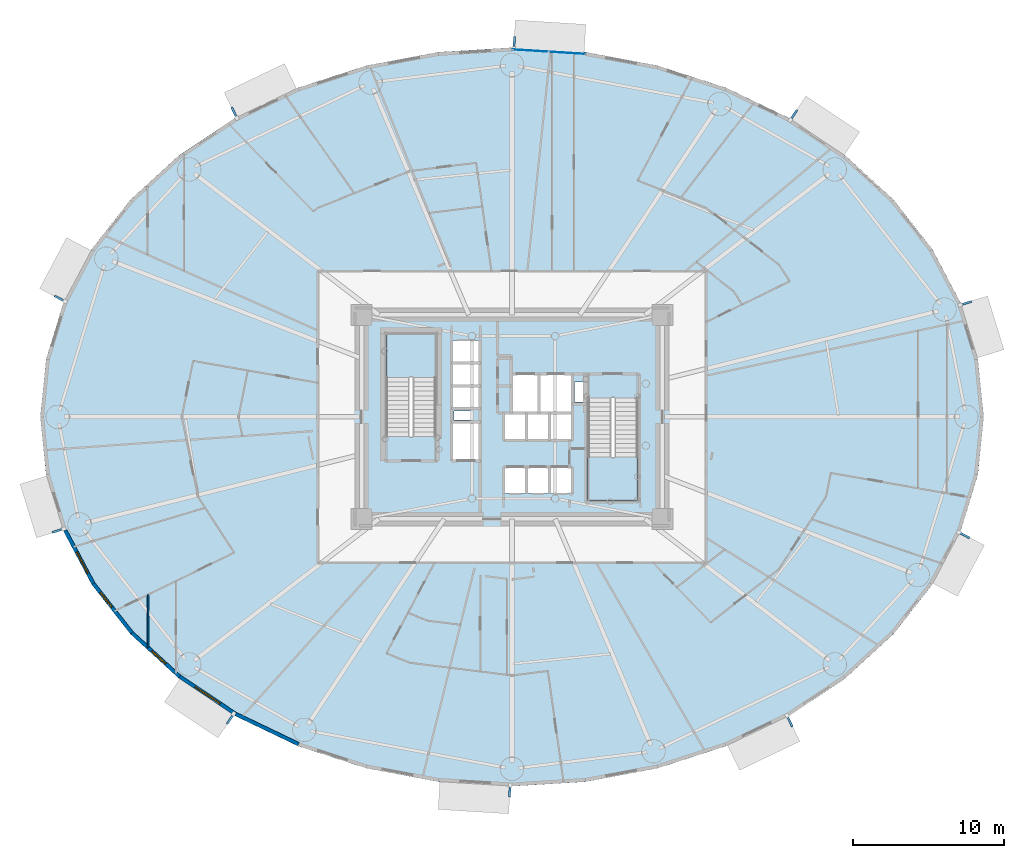
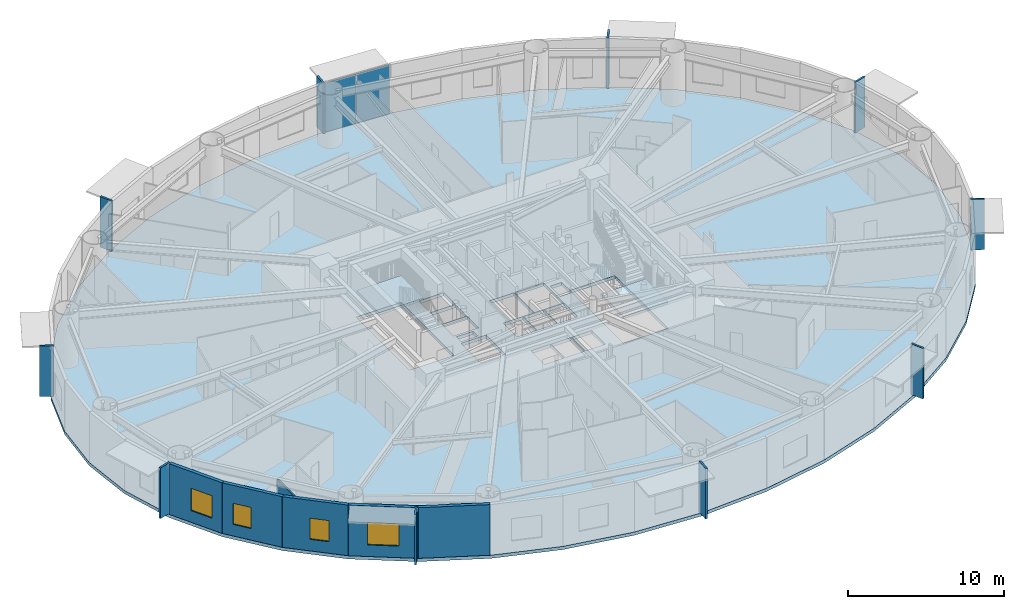
# One storey, part 7 of 21: 12 plates, 6 walls, 4 windows, 3 slabs, 4 openings, 3 elements without a shape of their own.
"""IFC4 building model written with IfcOpenShell, lengths in metres."""

from ifc_helpers import new_model, si_unit, direction, frame, frame_2d, origin, origin_2d, place, context, subcontext, project, spatial, polyline, rectangle, outline, extrude, source, transform, mapped, material, layer, layer_set, type_object, element, fill, aggregate, save


model = new_model("IFC4")

# Units and contexts
model_context = context("Model", 3, precision=1e-05, world=origin(), true_north=direction((0.0, 1.0)))
body_context = subcontext(model_context, "Body", "Model", "MODEL_VIEW")
ifc_project = project(units=[si_unit("LENGTHUNIT", "METRE"), si_unit("AREAUNIT", "SQUARE_METRE"), si_unit("VOLUMEUNIT", "CUBIC_METRE"), si_unit("PLANEANGLEUNIT", "RADIAN"), si_unit("MASSUNIT", "GRAM", prefix="KILO")], contexts=[model_context])

# Site, building, storey
site_placement = place(None, origin())
site = spatial("IfcSite", under=ifc_project, at=site_placement, CompositionType="ELEMENT")
building_placement = place(site_placement, origin())
building = spatial("IfcBuilding", under=site, at=building_placement, Name="Linh Dai School and Residence Tower", CompositionType="ELEMENT")
storey_placement = place(building_placement, frame((0.0, 0.0, 61.800048828125)))
storey = spatial("IfcBuildingStorey", under=building, at=storey_placement, Name="L14", CompositionType="ELEMENT", Elevation=61.800048828125)

# Slab
ifc_material_1 = material(Name="Concrete B45 (C35/45)", Category="concrete")
ifc_layer_1 = layer(ifc_material_1, 0.25)
ifc_layer_set_1 = layer_set([ifc_layer_1], Name="Concrete B45 (C35/45)")
slab_type_1 = type_object("IfcSlabType", Name="SLB-FLR250", PredefinedType="FLOOR", material=ifc_layer_set_1)
slab_1_placement = place(storey_placement, frame((0.0, 0.0, -0.25)))
element("IfcSlab", 1, at=slab_1_placement, inside=storey, type_object=slab_type_1, Name="L14 Composite Structural Floor Slab", PredefinedType="FLOOR", context=body_context, shape_type="SweptSolid", body=[
    extrude(outline(polyline([(67.199951171875, 27.0), (66.81591796875, 30.82177734375), (65.6728515625, 34.54931640625), (63.79931640625, 38.091064453125), (61.2412109375, 41.359619140625), (58.061767578125, 44.274658203125), (54.3388671875, 46.764404296875), (50.16455078125, 48.767333984375), (45.641357421875, 50.234375), (40.880859375, 51.129150390625), (36.0, 51.429931640625), (31.119140625, 51.129150390625), (26.358642578125, 50.234375), (21.83544921875, 48.767333984375), (17.6611328125, 46.764404296875), (13.938232421875, 44.274658203125), (10.7587890625, 41.359619140625), (8.20068359375, 38.091064453125), (6.3271484375, 34.54931640625), (5.18408203125, 30.82177734375), (4.800048828125, 27.0), (5.18408203125, 23.17822265625), (6.3271484375, 19.45068359375), (8.20068359375, 15.908935546875), (10.7587890625, 12.640380859375), (13.938232421875, 9.725341796875), (17.6611328125, 7.235595703125), (21.83544921875, 5.232666015625), (26.358642578125, 3.765625), (31.119140625, 2.870849609375), (36.0, 2.570068359375), (40.880859375, 2.870849609375), (45.641357421875, 3.765625), (50.16455078125, 5.232666015625), (54.3388671875, 7.235595703125), (58.061767578125, 9.725341796875), (61.2412109375, 12.640380859375), (63.79931640625, 15.908935546875), (65.6728515625, 19.45068359375), (66.81591796875, 23.17822265625), (67.199951171875, 27.0)]), holes=[polyline([(30.97998046875, 25.699951171875), (30.97998046875, 32.5), (27.679931640625, 32.5), (27.679931640625, 25.699951171875), (30.97998046875, 25.699951171875)]), polyline([(41.02001953125, 28.25), (41.02001953125, 21.449951171875), (44.320068359375, 21.449951171875), (44.320068359375, 28.25), (41.02001953125, 28.25)]), polyline([(35.97998046875, 27.280029296875), (37.77001953125, 27.280029296875), (37.77001953125, 29.820068359375), (35.97998046875, 29.820068359375), (35.97998046875, 27.280029296875)]), polyline([(32.030029296875, 24.1298828125), (33.8701171875, 24.1298828125), (33.8701171875, 26.6201171875), (32.030029296875, 26.6201171875), (32.030029296875, 24.1298828125)]), polyline([(37.830078125, 27.280029296875), (39.969970703125, 27.280029296875), (39.969970703125, 29.820068359375), (37.830078125, 29.820068359375), (37.830078125, 27.280029296875)]), polyline([(35.47998046875, 21.929931640625), (36.929931640625, 21.929931640625), (36.929931640625, 23.669921875), (35.47998046875, 23.669921875), (35.47998046875, 21.929931640625)]), polyline([(36.989990234375, 21.929931640625), (38.449951171875, 21.929931640625), (38.449951171875, 23.669921875), (36.989990234375, 23.669921875), (36.989990234375, 21.929931640625)]), polyline([(38.510009765625, 21.929931640625), (39.969970703125, 21.929931640625), (39.969970703125, 23.669921875), (38.510009765625, 23.669921875), (38.510009765625, 21.929931640625)]), polyline([(32.030029296875, 27.580078125), (33.8701171875, 27.580078125), (33.8701171875, 29.030029296875), (32.030029296875, 29.030029296875), (32.030029296875, 27.580078125)]), polyline([(32.030029296875, 29.090087890625), (33.8701171875, 29.090087890625), (33.8701171875, 30.550048828125), (32.030029296875, 30.550048828125), (32.030029296875, 29.090087890625)]), polyline([(32.030029296875, 30.610107421875), (33.8701171875, 30.610107421875), (33.8701171875, 32.070068359375), (32.030029296875, 32.070068359375), (32.030029296875, 30.610107421875)]), polyline([(35.47998046875, 25.47998046875), (36.929931640625, 25.47998046875), (36.929931640625, 27.219970703125), (35.47998046875, 27.219970703125), (35.47998046875, 25.47998046875)]), polyline([(36.989990234375, 25.47998046875), (38.449951171875, 25.47998046875), (38.449951171875, 27.219970703125), (36.989990234375, 27.219970703125), (36.989990234375, 25.47998046875)]), polyline([(38.510009765625, 25.47998046875), (39.969970703125, 25.47998046875), (39.969970703125, 27.219970703125), (38.510009765625, 27.219970703125), (38.510009765625, 25.47998046875)]), polyline([(40.14990234375, 28.0), (40.14990234375, 29.300048828125), (41.0, 29.300048828125), (41.0, 28.280029296875), (40.989990234375, 28.280029296875), (40.989990234375, 28.0), (40.14990234375, 28.0)]), polyline([(32.14990234375, 26.800048828125), (33.35009765625, 26.800048828125), (33.35009765625, 27.39990234375), (32.14990234375, 27.39990234375), (32.14990234375, 26.800048828125)])]), origin(), (0.0, 0.0, 1.0), 0.25),
])

# Stair, slab
stair_type = type_object("IfcStairType", Name="ST-DOG-1550-R1500", PredefinedType="HALF_TURN_STAIR", material=ifc_material_1)
stair_1_placement = place(storey_placement, origin())
stair_1 = element("IfcStair", 2, at=stair_1_placement, inside=storey, type_object=stair_type, Name="L14 Core Smokeproof Exit Stair ST1", PredefinedType="HALF_TURN_STAIR")
ifc_layer_2 = layer(ifc_material_1, 0.199951171875)
ifc_layer_set_2 = layer_set([ifc_layer_2], Name="Concrete B45 (C35/45)")
slab_type_2 = type_object("IfcSlabType", Name="SLB-ST-LANDING-200", PredefinedType="LANDING", material=ifc_layer_set_2)
slab_2_placement = place(storey_placement, frame((0.0, 0.0, 1.89990234375)))
slab_2 = element("IfcSlab", 3, at=slab_2_placement, type_object=slab_type_2, Name="ST1 landing 1", PredefinedType="LANDING", context=body_context, shape_type="SweptSolid", body=[
    extrude(outline(polyline([(30.97998046875, 29.60009765625), (30.97998046875, 32.5), (27.679931640625, 32.5), (27.679931640625, 29.60009765625), (30.97998046875, 29.60009765625)])), origin(), (0.0, 0.0, 1.0), 0.199951171875),
])
aggregate(stair_1, [slab_2])

stair_2_placement = place(storey_placement, origin())
stair_2 = element("IfcStair", 4, at=stair_2_placement, inside=storey, type_object=stair_type, Name="L14 Core Smokeproof Exit Stair ST2", PredefinedType="HALF_TURN_STAIR")
slab_3_placement = place(storey_placement, frame((0.0, 0.0, 1.89990234375)))
slab_3 = element("IfcSlab", 5, at=slab_3_placement, type_object=slab_type_2, Name="ST2 landing 1", PredefinedType="LANDING", context=body_context, shape_type="SweptSolid", body=[
    extrude(outline(polyline([(41.02001953125, 24.35009765625), (41.02001953125, 21.449951171875), (44.320068359375, 21.449951171875), (44.320068359375, 24.35009765625), (41.02001953125, 24.35009765625)])), origin(), (0.0, 0.0, 1.0), 0.199951171875),
])
aggregate(stair_2, [slab_3])

# Plates
ifc_material_2 = material(Name="Precast Concrete B45 (C35/45)", Category="concrete")
ifc_layer_3 = layer(ifc_material_2, 0.139892578125)
ifc_layer_set_3 = layer_set([ifc_layer_3], Name="Precast Concrete B45 (C35/45)")
plate_type_1 = type_object("IfcPlateType", Name="FIN-TC-900x140", PredefinedType="USERDEFINED", material=ifc_layer_set_3)
shared_shape_1 = source(origin(), body_context, "Body", "SweptSolid", [
    extrude(rectangle(XDim=0.89990234375, YDim=0.139892578125, at=origin_2d()), origin(), (0.0, 0.0, 1.0), 3.949951171875),
])
for number, where, z_axis, x_axis, name in (
    (6, (65.984619140625, 34.5068359375, 0.0), (0.0, 0.0, 1.0), (0.956067769001, 0.293145733514, 0.0), "L14 Precast Terracotta Radial Fin 02"),
    (7, (54.604736328125, 46.9296875, 0.0), (0.0, 0.0, 1.0), (0.555897899828, 0.831250578927, 0.0), "L14 Precast Terracotta Radial Fin 06"),
    (8, (36.14501953125, 51.706787109375, 0.0), (0.0, 0.0, 1.0), (0.061506595367, 0.998106677027, 0.0), "L14 Precast Terracotta Radial Fin 10"),
    (9, (17.65380859375, 47.0771484375, 0.0), (0.0, 0.0, 1.0), (-0.432603008528, 0.901584514626, 0.0), "L14 Precast Terracotta Radial Fin 14"),
    (10, (6.13623046875, 34.799072265625, 0.0), (0.0, 0.0, 1.0), (-0.883933862645, 0.467611940042, 0.0), "L14 Precast Terracotta Radial Fin 18"),
    (11, (6.015380859375, 19.4931640625, 0.0), (0.0, 0.0, 1.0), (-0.956067769001, -0.293145733514, 0.0), "L14 Precast Terracotta Radial Fin 22"),
    (12, (17.395263671875, 7.0703125, 0.0), (0.0, 0.0, 1.0), (-0.555897899828, -0.831250578927, 0.0), "L14 Precast Terracotta Radial Fin 26"),
    (13, (35.85498046875, 2.293212890625, 0.0), (0.0, 0.0, 1.0), (-0.061506595367, -0.998106677027, 0.0), "L14 Precast Terracotta Radial Fin 30"),
    (14, (54.34619140625, 6.9228515625, 0.0), (0.0, 0.0, 1.0), (0.432603008528, -0.901584514626, 0.0), "L14 Precast Terracotta Radial Fin 34"),
    (15, (65.86376953125, 19.200927734375, 0.0), (0.0, 0.0, 1.0), (0.883933862645, -0.467611940042, 0.0), "L14 Precast Terracotta Radial Fin 38"),
):
    element("IfcPlate", number, at=place(storey_placement, frame(where, z_axis=z_axis, x_axis=x_axis)), inside=storey, type_object=plate_type_1, Name=name, ObjectType="RADIAL FIN", PredefinedType="USERDEFINED", context=body_context, shape_type="MappedRepresentation", body=[
        mapped(shared_shape_1, transform((0.0, 0.0, 0.0), x_axis=(1.0, 0.0, 0.0), y_axis=(0.0, 1.0, 0.0), z_axis=(0.0, 0.0, 1.0), scale=1.0)),
    ])

# Curtain wall, plates
ifc_material_3 = material(Name="Aluminium Anodised Curtain Wall", Category="aluminium")
ifc_layer_4 = layer(ifc_material_3, 0.14990234375)
ifc_layer_set_4 = layer_set([ifc_layer_4], Name="Aluminium Anodised Curtain Wall")
curtain_wall_type = type_object("IfcCurtainWallType", Name="CW-SYS-4", PredefinedType="USERDEFINED", material=ifc_layer_set_4)
curtain_wall_placement = place(storey_placement, origin())
curtain_wall = element("IfcCurtainWall", 16, at=curtain_wall_placement, inside=storey, type_object=curtain_wall_type, Name="L14 CW4 Curtain Wall 10", ObjectType="RIBBON CURTAIN WALL", PredefinedType="USERDEFINED")
ifc_material_4 = material(Name="Double Low-E Insulated Glazing", Category="glass")
ifc_layer_5 = layer(ifc_material_4, 0.02587890625)
ifc_layer_set_5 = layer_set([ifc_layer_5], Name="Double Low-E Insulated Glazing")
plate_type_2 = type_object("IfcPlateType", Name="CW-SYS-4-PAN", PredefinedType="CURTAIN_PANEL", material=ifc_layer_set_5)
shared_shape_2 = source(origin(), body_context, "Body", "SweptSolid", [
    extrude(rectangle(XDim=2.359375, YDim=0.02587890625, at=origin_2d()), origin(), (0.0, 0.0, 1.0), 3.845947265625),
])
plate_1_placement = place(storey_placement, frame((37.229248046875, 51.229248046875, 0.0517578125), z_axis=(0.0, 0.0, 1.0), x_axis=(0.998106677027, -0.061506595367, 0.0)))
plate_1 = element("IfcPlate", 17, at=plate_1_placement, type_object=plate_type_2, Name="CW4 panel 1.1", PredefinedType="CURTAIN_PANEL", context=body_context, shape_type="MappedRepresentation", body=[
    mapped(shared_shape_2, transform((0.0, 0.0, 0.0), x_axis=(1.0, 0.0, 0.0), y_axis=(0.0, 1.0, 0.0), z_axis=(0.0, 0.0, 1.0), scale=1.0)),
])
plate_2_placement = place(storey_placement, frame((39.635986328125, 51.0810546875, 0.0517578125), z_axis=(0.0, 0.0, 1.0), x_axis=(0.998106677027, -0.061506595367, 0.0)))
plate_2 = element("IfcPlate", 18, at=plate_2_placement, type_object=plate_type_2, Name="CW4 panel 2.1", PredefinedType="CURTAIN_PANEL", context=body_context, shape_type="MappedRepresentation", body=[
    mapped(shared_shape_2, transform((0.0, 0.0, 0.0), x_axis=(1.0, 0.0, 0.0), y_axis=(0.0, 1.0, 0.0), z_axis=(0.0, 0.0, 1.0), scale=1.0)),
])
aggregate(curtain_wall, [plate_1, plate_2])

# Wall, opening, window
ifc_layer_6 = layer(ifc_material_2, 0.239990234375)
ifc_layer_set_6 = layer_set([ifc_layer_6], Name="Precast Concrete B45 (C35/45)")
wall_type_1 = type_object("IfcWallType", Name="EW-TC-240", PredefinedType="SOLIDWALL", material=ifc_layer_set_6)
wall_1_placement = place(storey_placement, frame((8.305419921875, 15.977294921875, 0.0), z_axis=(0.0, 0.0, 1.0), x_axis=(-0.467662443071, 0.883907144072, 0.0)))
wall_1 = element("IfcWall", 19, at=wall_1_placement, inside=storey, type_object=wall_type_1, Name="L14 Terracotta Exterior Wall 23", PredefinedType="SOLIDWALL", context=body_context, shape_type="SweptSolid", body=[
    extrude(rectangle(XDim=3.983642578125, YDim=0.239990234375, at=frame_2d((1.99169921875, 0.0))), origin(), (0.0, 0.0, 1.0), 3.949951171875),
])
opening_1_placement = place(wall_1_placement, frame((0.760498046875, 0.0, 0.89990234375)))
opening_1 = element("IfcOpeningElement", 20, at=opening_1_placement, cuts=wall_1, Name="Opening W2", PredefinedType="OPENING", context=body_context, shape_type="SweptSolid", body=[
    extrude(rectangle(XDim=1.60009765625, YDim=1.75, at=origin_2d()), frame((0.800048828125, 0.1298828125, 0.875), z_axis=(0.0, -1.0, 0.0), x_axis=(1.0, 0.0, 0.0)), (0.0, 0.0, 1.0), 0.260009765625),
])
window_type_1 = type_object("IfcWindowType", Name="WN-RES-1600x1750", PartitioningType="DOUBLE_PANEL_VERTICAL", PredefinedType="WINDOW", material=ifc_material_4)
shared_shape_3 = source(origin(), body_context, "Body", "SweptSolid", [
    extrude(rectangle(XDim=1.60009765625, YDim=1.75, at=origin_2d()), frame((0.800048828125, 0.030029296875, 0.875), z_axis=(0.0, -1.0, 0.0), x_axis=(1.0, 0.0, 0.0)), (0.0, 0.0, 1.0), 0.06005859375),
])
window_1_placement = place(opening_1_placement, origin())
window_1 = element("IfcWindow", 21, at=window_1_placement, inside=storey, type_object=window_type_1, Name="L14 Exterior Window 23.1", OverallHeight=1.75, OverallWidth=1.60009765625, PartitioningType="DOUBLE_PANEL_VERTICAL", PredefinedType="WINDOW", context=body_context, shape_type="MappedRepresentation", body=[
    mapped(shared_shape_3, transform((0.0, 0.0, 0.0), x_axis=(1.0, 0.0, 0.0), y_axis=(0.0, 1.0, 0.0), z_axis=(0.0, 0.0, 1.0), scale=1.0)),
])
fill(opening_1, window_1)

wall_2_placement = place(storey_placement, frame((10.850341796875, 12.725341796875, 0.0), z_axis=(0.0, 0.0, 1.0), x_axis=(-0.616295508253, 0.787514981767, 0.0)))
wall_2 = element("IfcWall", 22, at=wall_2_placement, inside=storey, type_object=wall_type_1, Name="L14 Terracotta Exterior Wall 24", PredefinedType="SOLIDWALL", context=body_context, shape_type="SweptSolid", body=[
    extrude(rectangle(XDim=4.12939453125, YDim=0.239990234375, at=frame_2d((2.064697265625, 0.0))), origin(), (0.0, 0.0, 1.0), 3.949951171875),
])
opening_2_placement = place(wall_2_placement, frame((2.14501953125, 0.0, 0.89990234375)))
opening_2 = element("IfcOpeningElement", 23, at=opening_2_placement, cuts=wall_2, Name="Opening W3", PredefinedType="OPENING", context=body_context, shape_type="SweptSolid", body=[
    extrude(rectangle(XDim=1.25, YDim=1.64990234375, at=origin_2d()), frame((0.625, 0.1298828125, 0.824951171875), z_axis=(0.0, -1.0, 0.0), x_axis=(1.0, 0.0, 0.0)), (0.0, 0.0, 1.0), 0.260009765625),
])
window_type_2 = type_object("IfcWindowType", Name="WN-RES-1250x1650", PartitioningType="SINGLE_PANEL", PredefinedType="WINDOW", material=ifc_material_4)
shared_shape_4 = source(origin(), body_context, "Body", "SweptSolid", [
    extrude(rectangle(XDim=1.25, YDim=1.64990234375, at=origin_2d()), frame((0.625, 0.030029296875, 0.824951171875), z_axis=(0.0, -1.0, 0.0), x_axis=(1.0, 0.0, 0.0)), (0.0, 0.0, 1.0), 0.06005859375),
])
window_2_placement = place(opening_2_placement, origin())
window_2 = element("IfcWindow", 24, at=window_2_placement, inside=storey, type_object=window_type_2, Name="L14 Exterior Window 24.1", OverallHeight=1.64990234375, OverallWidth=1.25, PartitioningType="SINGLE_PANEL", PredefinedType="WINDOW", context=body_context, shape_type="MappedRepresentation", body=[
    mapped(shared_shape_4, transform((0.0, 0.0, 0.0), x_axis=(1.0, 0.0, 0.0), y_axis=(0.0, 1.0, 0.0), z_axis=(0.0, 0.0, 1.0), scale=1.0)),
])
fill(opening_2, window_2)

wall_3_placement = place(storey_placement, frame((14.015380859375, 9.82373046875, 0.0), z_axis=(0.0, 0.0, 1.0), x_axis=(-0.737116376281, 0.67576582321, 0.0)))
wall_3 = element("IfcWall", 25, at=wall_3_placement, inside=storey, type_object=wall_type_1, Name="L14 Terracotta Exterior Wall 25", PredefinedType="SOLIDWALL", context=body_context, shape_type="SweptSolid", body=[
    extrude(rectangle(XDim=4.293701171875, YDim=0.239990234375, at=frame_2d((2.14697265625, 0.0))), origin(), (0.0, 0.0, 1.0), 3.949951171875),
])
opening_3_placement = place(wall_3_placement, frame((1.25, 0.0, 0.89990234375)))
opening_3 = element("IfcOpeningElement", 26, at=opening_3_placement, cuts=wall_3, Name="Opening W3", PredefinedType="OPENING", context=body_context, shape_type="SweptSolid", body=[
    extrude(rectangle(XDim=1.25, YDim=1.64990234375, at=origin_2d()), frame((0.625, 0.1298828125, 0.824951171875), z_axis=(0.0, -1.0, 0.0), x_axis=(1.0, 0.0, 0.0)), (0.0, 0.0, 1.0), 0.260009765625),
])
window_3_placement = place(opening_3_placement, origin())
window_3 = element("IfcWindow", 27, at=window_3_placement, inside=storey, type_object=window_type_2, Name="L14 Exterior Window 25.1", OverallHeight=1.64990234375, OverallWidth=1.25, PartitioningType="SINGLE_PANEL", PredefinedType="WINDOW", context=body_context, shape_type="MappedRepresentation", body=[
    mapped(shared_shape_4, transform((0.0, 0.0, 0.0), x_axis=(1.0, 0.0, 0.0), y_axis=(0.0, 1.0, 0.0), z_axis=(0.0, 0.0, 1.0), scale=1.0)),
])
fill(opening_3, window_3)

wall_4_placement = place(storey_placement, frame((17.722900390625, 7.34423828125, 0.0), z_axis=(0.0, 0.0, 1.0), x_axis=(-0.831240982525, 0.555912249343, 0.0)))
wall_4 = element("IfcWall", 28, at=wall_4_placement, inside=storey, type_object=wall_type_1, Name="L14 Terracotta Exterior Wall 26", PredefinedType="SOLIDWALL", context=body_context, shape_type="SweptSolid", body=[
    extrude(rectangle(XDim=4.460205078125, YDim=0.239990234375, at=frame_2d((2.22998046875, 0.0))), origin(), (0.0, 0.0, 1.0), 3.949951171875),
])
opening_4_placement = place(wall_4_placement, frame((1.22998046875, 0.0, 0.89990234375)))
opening_4 = element("IfcOpeningElement", 29, at=opening_4_placement, cuts=wall_4, Name="Opening W1", PredefinedType="OPENING", context=body_context, shape_type="SweptSolid", body=[
    extrude(rectangle(XDim=2.0, YDim=1.75, at=origin_2d()), frame((1.0, 0.1298828125, 0.875), z_axis=(0.0, -1.0, 0.0), x_axis=(1.0, 0.0, 0.0)), (0.0, 0.0, 1.0), 0.260009765625),
])
window_type_3 = type_object("IfcWindowType", Name="WN-RES-2000x1750", PartitioningType="DOUBLE_PANEL_VERTICAL", PredefinedType="WINDOW", material=ifc_material_4)
shared_shape_5 = source(origin(), body_context, "Body", "SweptSolid", [
    extrude(rectangle(XDim=2.0, YDim=1.75, at=origin_2d()), frame((1.0, 0.030029296875, 0.875), z_axis=(0.0, -1.0, 0.0), x_axis=(1.0, 0.0, 0.0)), (0.0, 0.0, 1.0), 0.06005859375),
])
window_4_placement = place(opening_4_placement, origin())
window_4 = element("IfcWindow", 30, at=window_4_placement, inside=storey, type_object=window_type_3, Name="L14 Exterior Window 26.1", OverallHeight=1.75, OverallWidth=2.0, PartitioningType="DOUBLE_PANEL_VERTICAL", PredefinedType="WINDOW", context=body_context, shape_type="MappedRepresentation", body=[
    mapped(shared_shape_5, transform((0.0, 0.0, 0.0), x_axis=(1.0, 0.0, 0.0), y_axis=(0.0, 1.0, 0.0), z_axis=(0.0, 0.0, 1.0), scale=1.0)),
])
fill(opening_4, window_4)

# Walls
wall_5_placement = place(storey_placement, frame((21.8818359375, 5.348876953125, 0.0), z_axis=(0.0, 0.0, 1.0), x_axis=(-0.901601503137, 0.432567601123, 0.0)))
element("IfcWall", 31, at=wall_5_placement, inside=storey, type_object=wall_type_1, Name="L14 Terracotta Exterior Wall 27", PredefinedType="SOLIDWALL", context=body_context, shape_type="SweptSolid", body=[
    extrude(rectangle(XDim=4.61279296875, YDim=0.239990234375, at=frame_2d((2.306396484375, 0.0))), origin(), (0.0, 0.0, 1.0), 3.949951171875),
])
ifc_material_5 = material(Name="Gypsum Plasterboard Acoustic Stud Partition", Category="masonry")
ifc_layer_7 = layer(ifc_material_5, 0.10009765625)
ifc_layer_set_7 = layer_set([ifc_layer_7], Name="Gypsum Plasterboard Acoustic Stud Partition")
wall_type_2 = type_object("IfcWallType", Name="IW-UNIT-100", PredefinedType="PARTITIONING", material=ifc_layer_set_7)
wall_6_placement = place(storey_placement, frame((11.934814453125, 11.724365234375, 0.0), z_axis=(0.0, 0.0, 1.0), x_axis=(0.0, 1.0, 0.0)))
element("IfcWall", 32, at=wall_6_placement, inside=storey, type_object=wall_type_2, Name="L14 Interior Partition Wall 006", PredefinedType="PARTITIONING", context=body_context, shape_type="SweptSolid", body=[
    extrude(rectangle(XDim=3.520751953125, YDim=0.10009765625, at=frame_2d((1.76025390625, 0.0))), origin(), (0.0, 0.0, 1.0), 3.3349609375),
])

save(model, "model.ifc")
